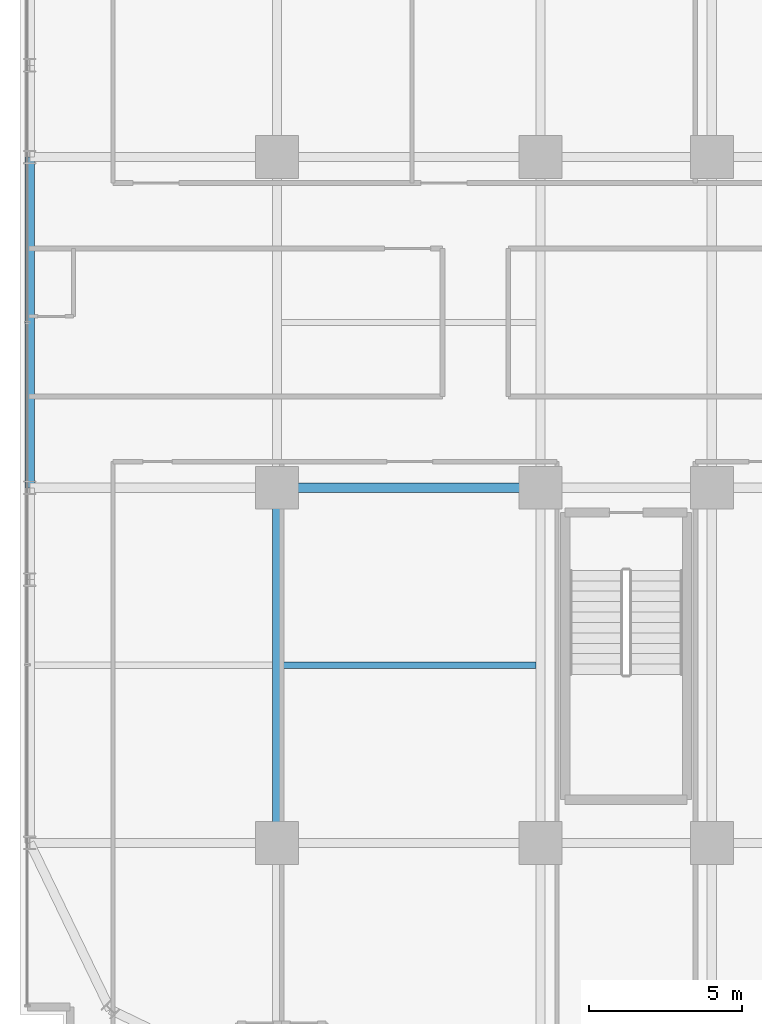
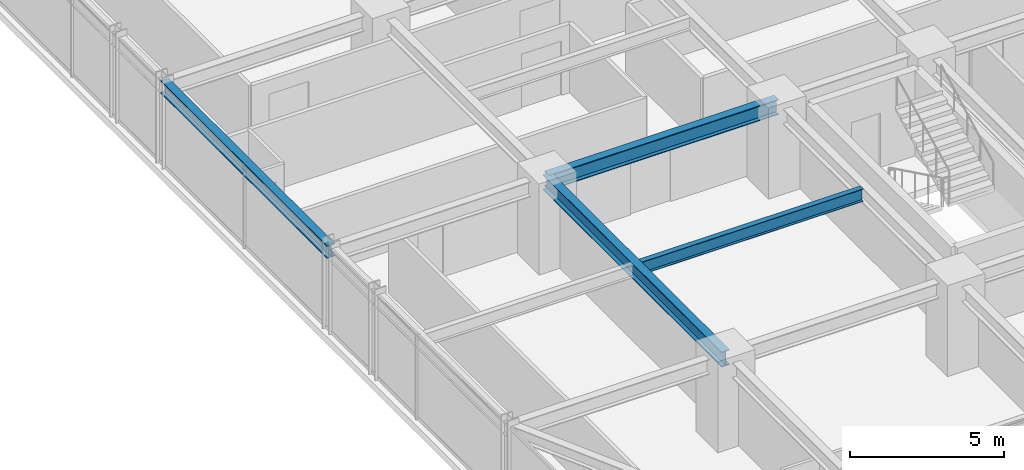
# One storey, part 8 of 36: 4 beams.
"""IFC4 building model written with IfcOpenShell, lengths in metres."""

from ifc_helpers import new_model, si_unit, direction, frame, origin, origin_2d, place, context, subcontext, project, spatial, i_section, extrude, source, transform, mapped, material, material_profile, profile_set, type_object, element, save


model = new_model("IFC4")

# Units and contexts
model_context = context("Model", 3, precision=1e-05, world=origin(), true_north=direction((0.0, 1.0)))
body_context = subcontext(model_context, "Body", "Model", "MODEL_VIEW")
ifc_project = project(units=[si_unit("LENGTHUNIT", "METRE"), si_unit("AREAUNIT", "SQUARE_METRE"), si_unit("VOLUMEUNIT", "CUBIC_METRE"), si_unit("PLANEANGLEUNIT", "RADIAN"), si_unit("MASSUNIT", "GRAM", prefix="KILO")], contexts=[model_context])

# Site, building, storey
site_placement = place(None, origin())
site = spatial("IfcSite", under=ifc_project, at=site_placement, CompositionType="ELEMENT")
building_placement = place(site_placement, origin())
building = spatial("IfcBuilding", under=site, at=building_placement, Name="Nahalor Promenade Grand Hotel", CompositionType="ELEMENT")
storey_placement = place(building_placement, frame((0.0, 0.0, 72.550048828125)))
storey = spatial("IfcBuildingStorey", under=building, at=storey_placement, Name="L17", CompositionType="ELEMENT", Elevation=72.550048828125)

# Beams
ifc_material = material(Name="Steel S355JR", Category="steel")
ifc_material_profile_1 = material_profile(ifc_material, i_section(OverallWidth=0.3, OverallDepth=0.6, WebThickness=0.0155, FlangeThickness=0.03, at=origin_2d()), Name="HEB 600")
ifc_profile_set_1 = profile_set([ifc_material_profile_1], Name="Steel S355JR")
beam_type_1 = type_object("IfcBeamType", Name="Beam-Girder-HEB600", PredefinedType="BEAM", material=ifc_profile_set_1)
shared_shape_1 = source(origin(), body_context, "Body", "SweptSolid", [
    extrude(i_section(OverallWidth=0.3, OverallDepth=0.6, WebThickness=0.0155, FlangeThickness=0.03, at=origin_2d()), origin(), (0.0, 0.0, 1.0), 8.60009765625),
])
beam_1_placement = place(storey_placement, frame((-17.0, -5.39990234375, 3.070068359375), z_axis=(1.0, 0.0, 0.0), x_axis=(0.0, 1.0, 0.0)))
element("IfcBeam", 1, at=beam_1_placement, inside=storey, type_object=beam_type_1, Name="BM-L17-GX-1-1", PredefinedType="BEAM", context=body_context, shape_type="MappedRepresentation", body=[
    mapped(shared_shape_1, transform((0.0, 0.0, 0.0), scale=1.0)),
])
shared_shape_2 = source(origin(), body_context, "Body", "SweptSolid", [
    extrude(i_section(OverallWidth=0.3, OverallDepth=0.6, WebThickness=0.0155, FlangeThickness=0.03, at=origin_2d()), origin(), (0.0, 0.0, 1.0), 11.60009765625),
])
beam_2_placement = place(storey_placement, frame((-17.0, -17.0, 3.070068359375), z_axis=(0.0, 1.0, 0.0), x_axis=(-1.0, 0.0, 0.0)))
element("IfcBeam", 2, at=beam_2_placement, inside=storey, type_object=beam_type_1, Name="BM-L17-GY-0-1", PredefinedType="BEAM", context=body_context, shape_type="MappedRepresentation", body=[
    mapped(shared_shape_2, transform((0.0, 0.0, 0.0), scale=1.0)),
])
ifc_material_profile_2 = material_profile(ifc_material, i_section(OverallWidth=0.3, OverallDepth=0.5, WebThickness=0.0145, FlangeThickness=0.028, at=origin_2d()), Name="HEB 500")
ifc_profile_set_2 = profile_set([ifc_material_profile_2], Name="Steel S355JR")
beam_type_2 = type_object("IfcBeamType", Name="Beam-Spandrel-HEB500", PredefinedType="SPANDREL", material=ifc_profile_set_2)
shared_shape_3 = source(origin(), body_context, "Body", "SweptSolid", [
    extrude(i_section(OverallWidth=0.3, OverallDepth=0.5, WebThickness=0.0145, FlangeThickness=0.028, at=origin_2d()), origin(), (0.0, 0.0, 1.0), 10.7998046875),
])
beam_3_placement = place(storey_placement, frame((-25.080078125, -5.39990234375, 3.119873046875), z_axis=(0.0, 1.0, 0.0), x_axis=(-1.0, 0.0, 0.0)))
element("IfcBeam", 3, at=beam_3_placement, inside=storey, type_object=beam_type_2, Name="BM-L17-SP-W-2", PredefinedType="SPANDREL", context=body_context, shape_type="MappedRepresentation", body=[
    mapped(shared_shape_3, transform((0.0, 0.0, 0.0), scale=1.0)),
])
ifc_material_profile_3 = material_profile(ifc_material, i_section(OverallWidth=0.2, OverallDepth=0.5, WebThickness=0.0102, FlangeThickness=0.016, at=origin_2d()), Name="IPE 500")
ifc_profile_set_3 = profile_set([ifc_material_profile_3], Name="Steel S355JR")
beam_type_3 = type_object("IfcBeamType", Name="Beam-Joist-IPE500", PredefinedType="JOIST", material=ifc_profile_set_3)
shared_shape_4 = source(origin(), body_context, "Body", "SweptSolid", [
    extrude(i_section(OverallWidth=0.2, OverallDepth=0.5, WebThickness=0.0102, FlangeThickness=0.016, at=origin_2d()), origin(), (0.0, 0.0, 1.0), 8.300048828125),
])
beam_4_placement = place(storey_placement, frame((-16.85009765625, -11.199951171875, 3.119873046875), z_axis=(1.0, 0.0, 0.0), x_axis=(0.0, 1.0, 0.0)))
element("IfcBeam", 4, at=beam_4_placement, inside=storey, type_object=beam_type_3, Name="BM-L17-JSW-0-1", PredefinedType="JOIST", context=body_context, shape_type="MappedRepresentation", body=[
    mapped(shared_shape_4, transform((0.0, 0.0, 0.0), scale=1.0)),
])

save(model, "model.ifc")
